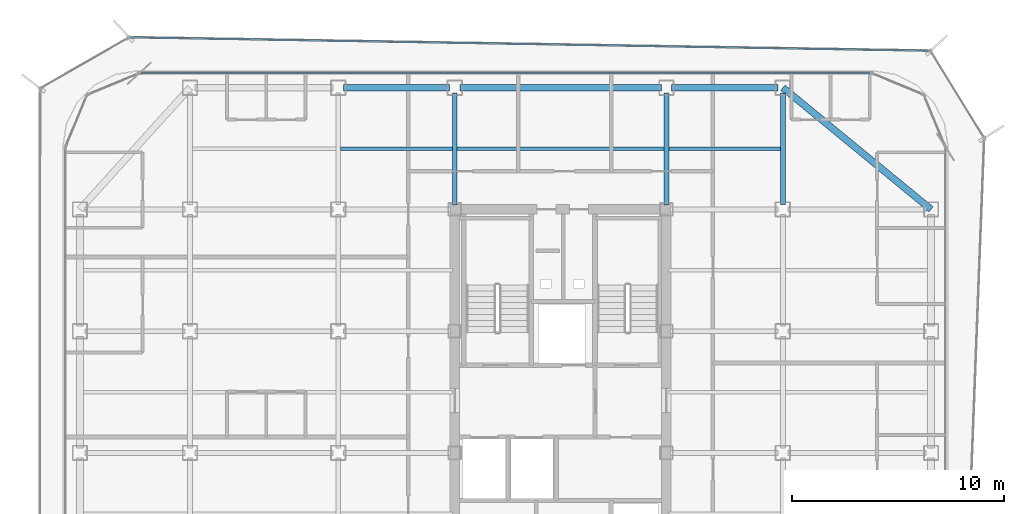
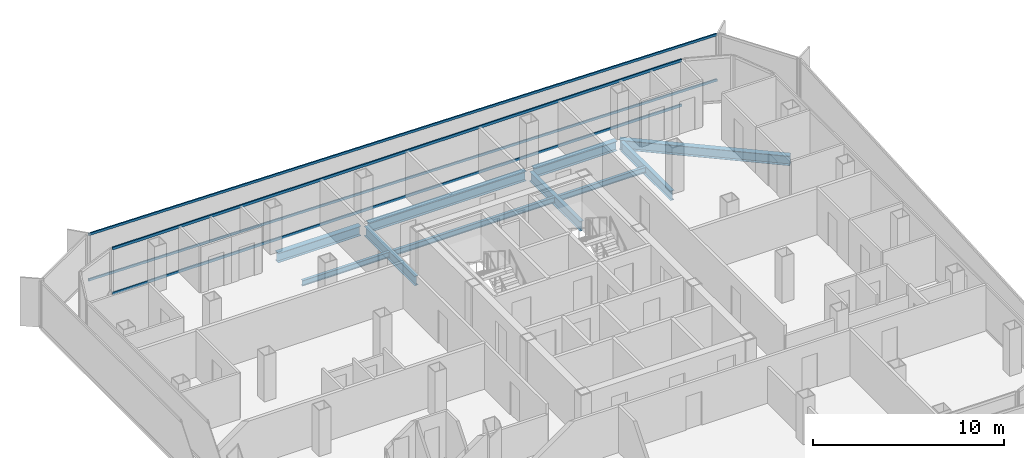
# One storey, part 7 of 15: 10 beams, 4 members, 2 elements without a shape of their own.
"""IFC4 building model written with IfcOpenShell, lengths in metres."""

from ifc_helpers import new_model, si_unit, direction, frame, origin, origin_2d, place, context, subcontext, project, spatial, hollow_rectangle, i_section, extrude, source, transform, mapped, material, layer, layer_set, material_profile, profile_set, type_object, element, aggregate, save


model = new_model("IFC4")

# Units and contexts
model_context = context("Model", 3, precision=1e-05, world=origin(), true_north=direction((0.0, 1.0)))
body_context = subcontext(model_context, "Body", "Model", "MODEL_VIEW")
ifc_project = project(units=[si_unit("LENGTHUNIT", "METRE"), si_unit("AREAUNIT", "SQUARE_METRE"), si_unit("VOLUMEUNIT", "CUBIC_METRE"), si_unit("PLANEANGLEUNIT", "RADIAN"), si_unit("MASSUNIT", "GRAM", prefix="KILO")], contexts=[model_context])

# Site, building, storey
site_placement = place(None, origin())
site = spatial("IfcSite", under=ifc_project, at=site_placement, CompositionType="ELEMENT")
building_placement = place(site_placement, origin())
building = spatial("IfcBuilding", under=site, at=building_placement, Name="Kolveth Station Tower", CompositionType="ELEMENT")
storey_placement = place(building_placement, frame((0.0, 0.0, 172.10009765625)))
storey = spatial("IfcBuildingStorey", under=building, at=storey_placement, Name="L48", CompositionType="ELEMENT", Elevation=172.10009765625)

# Beams
ifc_material_1 = material(Name="Steel S355", Category="steel")
ifc_material_profile_1 = material_profile(ifc_material_1, i_section(OverallWidth=0.323974609375, OverallDepth=0.611083984375, WebThickness=0.0126953125, FlangeThickness=0.01904296875, at=origin_2d()), Name="W610x155")
ifc_profile_set_1 = profile_set([ifc_material_profile_1], Name="Steel S355")
beam_type_1 = type_object("IfcBeamType", Name="Beam_SP2", PredefinedType="SPANDREL", material=ifc_profile_set_1)
shared_shape_1 = source(origin(), body_context, "Body", "SweptSolid", [
    extrude(i_section(OverallWidth=0.323974609375, OverallDepth=0.611083984375, WebThickness=0.0126953125, FlangeThickness=0.01904296875, at=origin_2d()), origin(), (0.0, 0.0, 1.0), 5.02001953125),
])
for number, where, z_axis, x_axis, name in (
    (1, (13.239990234375, 34.5, -0.5556640625), (1.0, 0.0, 0.0), (0.0, 1.0, 0.0), "L48 Perimeter Spandrel BM-L48-PN-2"),
    (2, (28.739990234375, 34.5, -0.5556640625), (1.0, 0.0, 0.0), (0.0, 1.0, 0.0), "L48 Perimeter Spandrel BM-L48-PN-4"),
):
    element("IfcBeam", number, at=place(storey_placement, frame(where, z_axis=z_axis, x_axis=x_axis)), inside=storey, type_object=beam_type_1, Name=name, PredefinedType="SPANDREL", context=body_context, shape_type="MappedRepresentation", body=[
        mapped(shared_shape_1, transform((0.0, 0.0, 0.0), x_axis=(1.0, 0.0, 0.0), y_axis=(0.0, 1.0, 0.0), z_axis=(0.0, 0.0, 1.0), scale=1.0)),
    ])
shared_shape_2 = source(origin(), body_context, "Body", "SweptSolid", [
    extrude(i_section(OverallWidth=0.323974609375, OverallDepth=0.611083984375, WebThickness=0.0126953125, FlangeThickness=0.01904296875, at=origin_2d()), origin(), (0.0, 0.0, 1.0), 9.52001953125),
])
beam_1_placement = place(storey_placement, frame((18.739990234375, 34.5, -0.5556640625), z_axis=(1.0, 0.0, 0.0), x_axis=(0.0, 1.0, 0.0)))
element("IfcBeam", 3, at=beam_1_placement, inside=storey, type_object=beam_type_1, Name="L48 Perimeter Spandrel BM-L48-PN-3", PredefinedType="SPANDREL", context=body_context, shape_type="MappedRepresentation", body=[
    mapped(shared_shape_2, transform((0.0, 0.0, 0.0), x_axis=(1.0, 0.0, 0.0), y_axis=(0.0, 1.0, 0.0), z_axis=(0.0, 0.0, 1.0), scale=1.0)),
])
shared_shape_3 = source(origin(), body_context, "Body", "SweptSolid", [
    extrude(i_section(OverallWidth=0.323974609375, OverallDepth=0.611083984375, WebThickness=0.0126953125, FlangeThickness=0.01904296875, at=origin_2d()), origin(), (0.0, 0.0, 1.0), 9.058837890625),
])
beam_2_placement = place(storey_placement, frame((41.0, 28.75, -0.5556640625), z_axis=(-0.772726254525, 0.63473942336, 0.0), x_axis=(-0.63473942336, -0.772726254525, 0.0)))
element("IfcBeam", 4, at=beam_2_placement, inside=storey, type_object=beam_type_1, Name="L48 Corner Edge Girder BM-L48-CNR-NE", PredefinedType="SPANDREL", context=body_context, shape_type="MappedRepresentation", body=[
    mapped(shared_shape_3, transform((0.0, 0.0, 0.0), x_axis=(1.0, 0.0, 0.0), y_axis=(0.0, 1.0, 0.0), z_axis=(0.0, 0.0, 1.0), scale=1.0)),
])
ifc_material_profile_2 = material_profile(ifc_material_1, i_section(OverallWidth=0.22900390625, OverallDepth=0.612060546875, WebThickness=0.011962890625, FlangeThickness=0.01953125, at=origin_2d()), Name="W610x125")
ifc_profile_set_2 = profile_set([ifc_material_profile_2], Name="Steel S355")
beam_type_2 = type_object("IfcBeamType", Name="Beam_B5", PredefinedType="BEAM", material=ifc_profile_set_2)
shared_shape_4 = source(origin(), body_context, "Body", "SweptSolid", [
    extrude(i_section(OverallWidth=0.22900390625, OverallDepth=0.612060546875, WebThickness=0.011962890625, FlangeThickness=0.01953125, at=origin_2d()), origin(), (0.0, 0.0, 1.0), 5.27001953125),
])
beam_3_placement = place(storey_placement, frame((34.0, 28.989990234375, -0.55615234375), z_axis=(0.0, 1.0, 0.0), x_axis=(-1.0, 0.0, 0.0)))
element("IfcBeam", 5, at=beam_3_placement, inside=storey, type_object=beam_type_2, Name="L48 Primary Girder BM-L48-GX340-6", PredefinedType="BEAM", context=body_context, shape_type="MappedRepresentation", body=[
    mapped(shared_shape_4, transform((0.0, 0.0, 0.0), x_axis=(1.0, 0.0, 0.0), y_axis=(0.0, 1.0, 0.0), z_axis=(0.0, 0.0, 1.0), scale=1.0)),
])
shared_shape_5 = source(origin(), body_context, "Body", "SweptSolid", [
    extrude(i_section(OverallWidth=0.22900390625, OverallDepth=0.612060546875, WebThickness=0.011962890625, FlangeThickness=0.01953125, at=origin_2d()), origin(), (0.0, 0.0, 1.0), 5.31005859375),
])
for number, where, z_axis, x_axis, name in (
    (6, (18.5, 28.949951171875, -0.55615234375), (0.0, 1.0, 0.0), (-1.0, 0.0, 0.0), "L48 Primary Girder BM-L48-GX185-6"),
    (7, (28.5, 28.949951171875, -0.55615234375), (0.0, 1.0, 0.0), (-1.0, 0.0, 0.0), "L48 Primary Girder BM-L48-GX285-6"),
):
    element("IfcBeam", number, at=place(storey_placement, frame(where, z_axis=z_axis, x_axis=x_axis)), inside=storey, type_object=beam_type_2, Name=name, PredefinedType="BEAM", context=body_context, shape_type="MappedRepresentation", body=[
        mapped(shared_shape_5, transform((0.0, 0.0, 0.0), x_axis=(1.0, 0.0, 0.0), y_axis=(0.0, 1.0, 0.0), z_axis=(0.0, 0.0, 1.0), scale=1.0)),
    ])
ifc_material_profile_3 = material_profile(ifc_material_1, i_section(OverallWidth=0.1708984375, OverallDepth=0.35205078125, WebThickness=0.0068359375, FlangeThickness=0.009765625, at=origin_2d()), Name="W360x44")
ifc_profile_set_3 = profile_set([ifc_material_profile_3], Name="Steel S355")
beam_type_3 = type_object("IfcBeamType", Name="Beam_J2", PredefinedType="JOIST", material=ifc_profile_set_3)
shared_shape_6 = source(origin(), body_context, "Body", "SweptSolid", [
    extrude(i_section(OverallWidth=0.1708984375, OverallDepth=0.35205078125, WebThickness=0.0068359375, FlangeThickness=0.009765625, at=origin_2d()), origin(), (0.0, 0.0, 1.0), 5.27490234375),
])
for number, where, z_axis, x_axis, name in (
    (8, (13.112548828125, 31.625, -0.426025390625), (1.0, 0.0, 0.0), (0.0, 1.0, 0.0), "L48 Secondary Joist JST-L48-3-6"),
    (9, (28.612548828125, 31.625, -0.426025390625), (1.0, 0.0, 0.0), (0.0, 1.0, 0.0), "L48 Secondary Joist JST-L48-5-6"),
):
    element("IfcBeam", number, at=place(storey_placement, frame(where, z_axis=z_axis, x_axis=x_axis)), inside=storey, type_object=beam_type_3, Name=name, PredefinedType="JOIST", context=body_context, shape_type="MappedRepresentation", body=[
        mapped(shared_shape_6, transform((0.0, 0.0, 0.0), x_axis=(1.0, 0.0, 0.0), y_axis=(0.0, 1.0, 0.0), z_axis=(0.0, 0.0, 1.0), scale=1.0)),
    ])
shared_shape_7 = source(origin(), body_context, "Body", "SweptSolid", [
    extrude(i_section(OverallWidth=0.1708984375, OverallDepth=0.35205078125, WebThickness=0.0068359375, FlangeThickness=0.009765625, at=origin_2d()), origin(), (0.0, 0.0, 1.0), 9.77490234375),
])
beam_4_placement = place(storey_placement, frame((18.612548828125, 31.625, -0.426025390625), z_axis=(1.0, 0.0, 0.0), x_axis=(0.0, 1.0, 0.0)))
element("IfcBeam", 10, at=beam_4_placement, inside=storey, type_object=beam_type_3, Name="L48 Secondary Joist JST-L48-4-6", PredefinedType="JOIST", context=body_context, shape_type="MappedRepresentation", body=[
    mapped(shared_shape_7, transform((0.0, 0.0, 0.0), x_axis=(1.0, 0.0, 0.0), y_axis=(0.0, 1.0, 0.0), z_axis=(0.0, 0.0, 1.0), scale=1.0)),
])

# Curtain wall, members
ifc_material_2 = material(Name="Aluminium 6063-T6 and low-E dark glass", Category="aluminium")
ifc_layer_1 = layer(ifc_material_2, 0.18994140625)
ifc_layer_set_1 = layer_set([ifc_layer_1], Name="Aluminium 6063-T6 and low-E dark glass")
curtain_wall_type_1 = type_object("IfcCurtainWallType", Name="CurtainWall_CW-Z2", PredefinedType="NOTDEFINED", material=ifc_layer_set_1)
curtain_wall_1_placement = place(storey_placement, origin())
curtain_wall_1 = element("IfcCurtainWall", 11, at=curtain_wall_1_placement, inside=storey, type_object=curtain_wall_type_1, Name="L48 Inner Thermal Curtain Wall 6", PredefinedType="NOTDEFINED")
ifc_material_3 = material(Name="Black anodized aluminium 6063-T6", Category="aluminium")
ifc_material_profile_4 = material_profile(ifc_material_3, hollow_rectangle(XDim=0.080078125, YDim=0.169921875, WallThickness=0.0048828125, at=origin_2d()), Name="ALU-80x170x5")
ifc_profile_set_4 = profile_set([ifc_material_profile_4], Name="Black anodized aluminium 6063-T6")
member_type_1 = type_object("IfcMemberType", Name="Transom_TR2", PredefinedType="USERDEFINED", material=ifc_profile_set_4)
shared_shape_8 = source(origin(), body_context, "Body", "SweptSolid", [
    extrude(hollow_rectangle(XDim=0.080078125, YDim=0.169921875, WallThickness=0.0048828125, at=origin_2d()), origin(), (0.0, 0.0, 1.0), 34.440185546875),
])
member_1_placement = place(storey_placement, frame((38.1201171875, 35.179931640625, 0.039794921875), z_axis=(-1.0, 0.0, 0.0), x_axis=(0.0, -1.0, 0.0)))
member_1 = element("IfcMember", 12, at=member_1_placement, type_object=member_type_1, Name="CW-Z2 transom 1.1", ObjectType="TRANSOM", PredefinedType="USERDEFINED", context=body_context, shape_type="MappedRepresentation", body=[
    mapped(shared_shape_8, transform((0.0, 0.0, 0.0), x_axis=(1.0, 0.0, 0.0), y_axis=(0.0, 1.0, 0.0), z_axis=(0.0, 0.0, 1.0), scale=1.0)),
])
member_2_placement = place(storey_placement, frame((38.1201171875, 35.179931640625, 2.909912109375), z_axis=(-1.0, 0.0, 0.0), x_axis=(0.0, -1.0, 0.0)))
member_2 = element("IfcMember", 13, at=member_2_placement, type_object=member_type_1, Name="CW-Z2 transom 1.2", ObjectType="TRANSOM", PredefinedType="USERDEFINED", context=body_context, shape_type="MappedRepresentation", body=[
    mapped(shared_shape_8, transform((0.0, 0.0, 0.0), x_axis=(1.0, 0.0, 0.0), y_axis=(0.0, 1.0, 0.0), z_axis=(0.0, 0.0, 1.0), scale=1.0)),
])
aggregate(curtain_wall_1, [member_1, member_2])

ifc_material_4 = material(Name="Black anodized aluminium 6063-T6 and dark solar glass", Category="aluminium")
ifc_layer_2 = layer(ifc_material_4, 0.159912109375)
ifc_layer_set_2 = layer_set([ifc_layer_2], Name="Black anodized aluminium 6063-T6 and dark solar glass")
curtain_wall_type_2 = type_object("IfcCurtainWallType", Name="OUTER SKIN CW-OS", PredefinedType="NOTDEFINED", material=ifc_layer_set_2)
curtain_wall_2_placement = place(storey_placement, origin())
curtain_wall_2 = element("IfcCurtainWall", 14, at=curtain_wall_2_placement, inside=storey, type_object=curtain_wall_type_2, Name="L48 Outer Ventilated Skin Curtain Wall 4", PredefinedType="NOTDEFINED")
ifc_material_profile_5 = material_profile(ifc_material_3, hollow_rectangle(XDim=0.080078125, YDim=0.14990234375, WallThickness=0.0048828125, at=origin_2d()), Name="ALU-80x150x5")
ifc_profile_set_5 = profile_set([ifc_material_profile_5], Name="Black anodized aluminium 6063-T6")
member_type_2 = type_object("IfcMemberType", Name="Transom_TR-OS", PredefinedType="USERDEFINED", material=ifc_profile_set_5)
shared_shape_9 = source(origin(), body_context, "Body", "SweptSolid", [
    extrude(hollow_rectangle(XDim=0.080078125, YDim=0.14990234375, WallThickness=0.0048828125, at=origin_2d()), origin(), (0.0, 0.0, 1.0), 37.67041015625),
])
member_3_placement = place(storey_placement, frame((40.885498046875, 36.242919921875, 0.039794921875), z_axis=(-0.9998588921, 0.016798687082, 0.0), x_axis=(-0.016798687082, -0.9998588921, 0.0)))
member_3 = element("IfcMember", 15, at=member_3_placement, type_object=member_type_2, Name="CW-OS transom 1.1", ObjectType="TRANSOM", PredefinedType="USERDEFINED", context=body_context, shape_type="MappedRepresentation", body=[
    mapped(shared_shape_9, transform((0.0, 0.0, 0.0), x_axis=(1.0, 0.0, 0.0), y_axis=(0.0, 1.0, 0.0), z_axis=(0.0, 0.0, 1.0), scale=1.0)),
])
member_4_placement = place(storey_placement, frame((40.885498046875, 36.242919921875, 2.949951171875), z_axis=(-0.9998588921, 0.016798687082, 0.0), x_axis=(-0.016798687082, -0.9998588921, 0.0)))
member_4 = element("IfcMember", 16, at=member_4_placement, type_object=member_type_2, Name="CW-OS transom 1.2", ObjectType="TRANSOM", PredefinedType="USERDEFINED", context=body_context, shape_type="MappedRepresentation", body=[
    mapped(shared_shape_9, transform((0.0, 0.0, 0.0), x_axis=(1.0, 0.0, 0.0), y_axis=(0.0, 1.0, 0.0), z_axis=(0.0, 0.0, 1.0), scale=1.0)),
])
aggregate(curtain_wall_2, [member_3, member_4])

save(model, "model.ifc")
